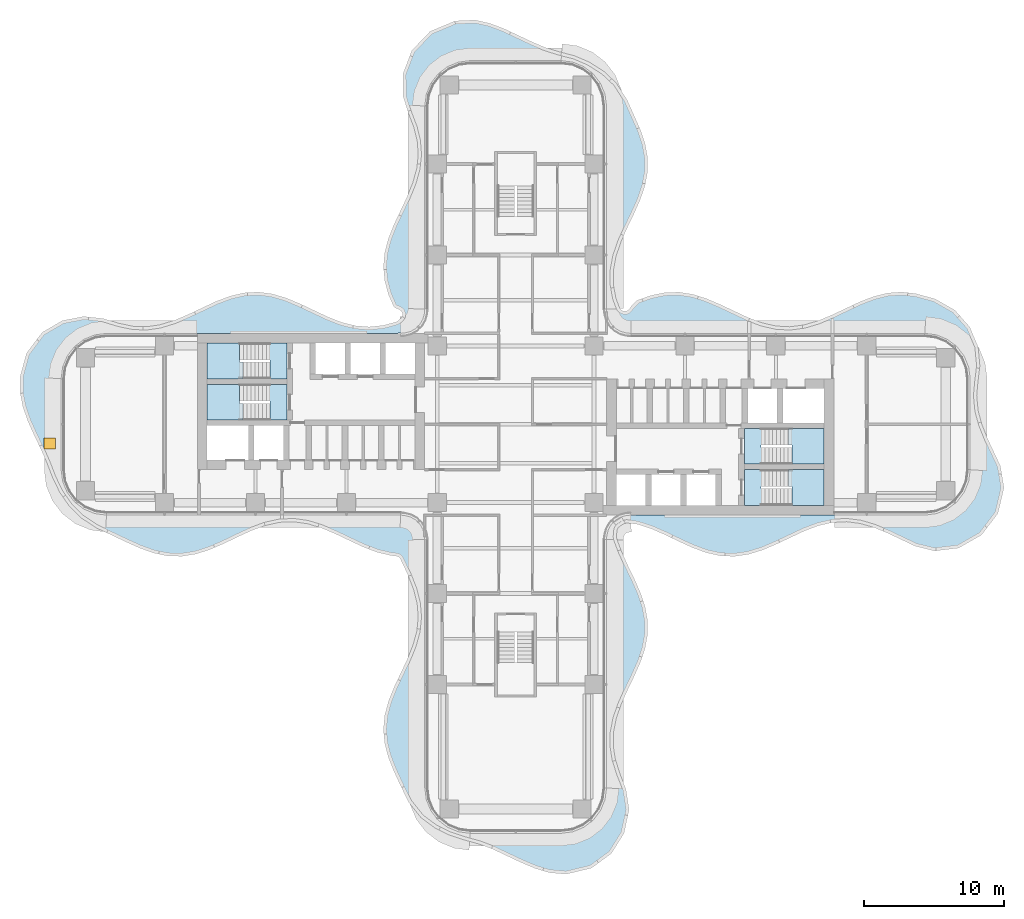
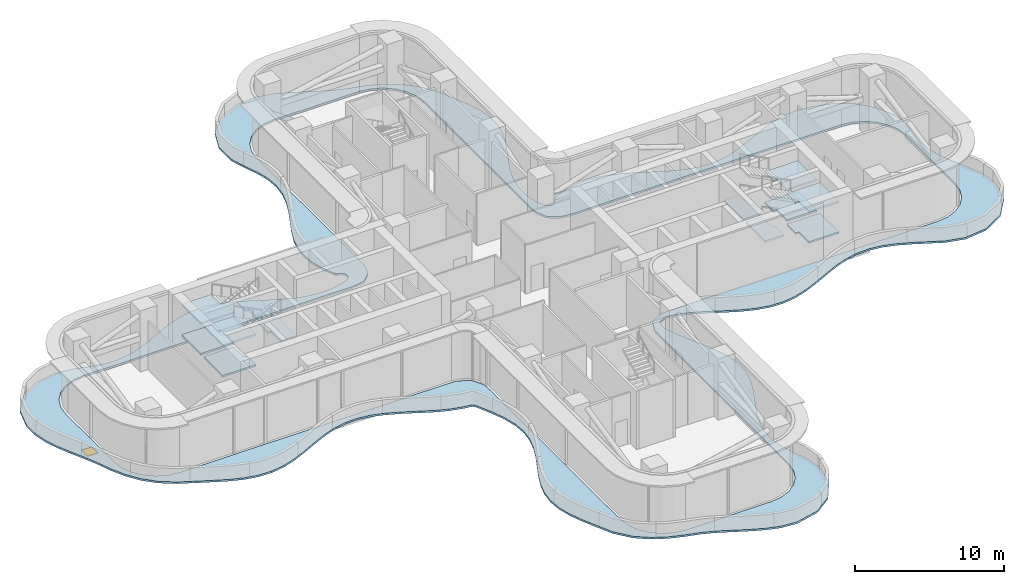
# One storey, part 11 of 20: 13 slabs, 1 door, 1 opening, 4 elements without a shape of their own.
"""IFC4 building model written with IfcOpenShell, lengths in metres."""

from ifc_helpers import new_model, si_unit, direction, frame, origin, origin_2d, place, context, subcontext, project, spatial, polyline, rectangle, outline, extrude, source, transform, mapped, material, layer, layer_set, type_object, element, fill, aggregate, save


model = new_model("IFC4")

# Units and contexts
model_context = context("Model", 3, precision=1e-05, world=origin(), true_north=direction((0.0, 1.0)))
body_context = subcontext(model_context, "Body", "Model", "MODEL_VIEW")
ifc_project = project(units=[si_unit("LENGTHUNIT", "METRE"), si_unit("AREAUNIT", "SQUARE_METRE"), si_unit("VOLUMEUNIT", "CUBIC_METRE"), si_unit("PLANEANGLEUNIT", "RADIAN"), si_unit("MASSUNIT", "GRAM", prefix="KILO")], contexts=[model_context])

# Site, building, storey
site_placement = place(None, origin())
site = spatial("IfcSite", under=ifc_project, at=site_placement, CompositionType="ELEMENT")
building_placement = place(site_placement, origin())
building = spatial("IfcBuilding", under=site, at=building_placement, Name="Trellis Farm Tower", CompositionType="ELEMENT")
storey_placement = place(building_placement, frame((0.0, 0.0, 92.5)))
storey = spatial("IfcBuildingStorey", under=building, at=storey_placement, Name="L19", CompositionType="ELEMENT", Elevation=92.5)

# Slab, opening, door
ifc_material_1 = material(Name="Concrete C40/50", Category="concrete")
ifc_layer_1 = layer(ifc_material_1, 0.14990234375)
ifc_layer_set_1 = layer_set([ifc_layer_1], Name="Roof slab on composite deck 150")
slab_type_1 = type_object("IfcSlabType", Name="Roof slab on composite deck 150", PredefinedType="ROOF", material=ifc_layer_set_1)
slab_1_placement = place(storey_placement, frame((0.0, 0.0, -0.14990234375)))
slab_1 = element("IfcSlab", 1, at=slab_1_placement, inside=storey, type_object=slab_type_1, Name="Roof slab", PredefinedType="ROOF", context=body_context, shape_type="SweptSolid", body=[
    extrude(outline(polyline([(-31.1103515625, -6.651611328125), (-31.92041015625, -5.828369140625), (-31.936767578125, -5.808349609375), (-32.572509765625, -4.88720703125), (-32.583740234375, -4.867919921875), (-33.085205078125, -3.843994140625), (-33.090576171875, -3.83154296875), (-33.506103515625, -2.74462890625), (-33.507568359375, -2.740966796875), (-33.94384765625, -1.760498046875), (-33.94482421875, -1.75830078125), (-34.426025390625, -0.761474609375), (-34.427734375, -0.7578125), (-34.86962890625, 0.226806640625), (-34.87451171875, 0.239013671875), (-35.2216796875, 1.23876953125), (-35.227294921875, 1.259521484375), (-35.416015625, 2.236572265625), (-35.418701171875, 2.263671875), (-35.427490234375, 3.365234375), (-35.42236328125, 3.406005859375), (-34.978759765625, 5.031005859375), (-34.968505859375, 5.057861328125), (-34.95263671875, 5.09033203125), (-34.937744140625, 5.114501953125), (-33.87451171875, 6.523193359375), (-33.8544921875, 6.544677734375), (-33.82666015625, 6.569580078125), (-33.80224609375, 6.58740234375), (-32.422607421875, 7.390625), (-32.37548828125, 7.408203125), (-30.90576171875, 7.691650390625), (-30.86181640625, 7.693603515625), (-29.50390625, 7.55126953125), (-29.4755859375, 7.54541015625), (-28.365478515625, 7.20556640625), (-28.35888671875, 7.203857421875), (-27.356201171875, 6.994384765625), (-27.343017578125, 6.992919921875), (-26.358154296875, 6.964111328125), (-26.344970703125, 6.96484375), (-25.418701171875, 7.103515625), (-25.40771484375, 7.10595703125), (-24.376708984375, 7.425048828125), (-24.369384765625, 7.427734375), (-23.38671875, 7.8486328125), (-23.38427734375, 7.849853515625), (-21.397705078125, 8.785400390625), (-21.38623046875, 8.790283203125), (-20.3994140625, 9.15869140625), (-20.38037109375, 9.16455078125), (-19.401611328125, 9.38916015625), (-19.3759765625, 9.392578125), (-18.40478515625, 9.443115234375), (-18.37744140625, 9.442138671875), (-17.408447265625, 9.313720703125), (-17.385498046875, 9.308837890625), (-16.4296875, 9.025634765625), (-16.41455078125, 9.020263671875), (-15.415283203125, 8.602783203125), (-15.408935546875, 8.60009765625), (-13.4130859375, 7.6572265625), (-13.408203125, 7.6552734375), (-12.449462890625, 7.283935546875), (-12.44091796875, 7.281005859375), (-11.462890625, 7.0341796875), (-11.450439453125, 7.0322265625), (-10.47021484375, 6.953857421875), (-10.456298828125, 6.9541015625), (-9.46875, 7.0576171875), (-9.45654296875, 7.06005859375), (-8.539306640625, 7.314208984375), (-8.522216796875, 7.321533203125), (-8.389892578125, 7.397705078125), (-8.375244140625, 7.40869140625), (-8.186279296875, 7.591796875), (-8.17529296875, 7.605224609375), (-8.102294921875, 7.72021484375), (-8.091064453125, 7.752685546875), (-8.078857421875, 7.877197265625), (-8.085205078125, 7.915283203125), (-8.16015625, 8.07763671875), (-8.182373046875, 8.105712890625), (-8.330810546875, 8.218505859375), (-8.349853515625, 8.22900390625), (-8.626220703125, 8.331787109375), (-8.71142578125, 8.41259765625), (-9.088623046875, 9.27734375), (-9.09619140625, 9.298583984375), (-9.348876953125, 10.24658203125), (-9.35302734375, 10.270751953125), (-9.447021484375, 11.239501953125), (-9.447265625, 11.26708984375), (-9.361328125, 12.239501953125), (-9.357177734375, 12.26416015625), (-9.10107421875, 13.24462890625), (-9.095458984375, 13.261962890625), (-8.7041015625, 14.2509765625), (-8.7001953125, 14.260009765625), (-7.7607421875, 16.244140625), (-7.75927734375, 16.247802734375), (-7.343505859375, 17.266845703125), (-7.3408203125, 17.27490234375), (-7.0634765625, 18.27099609375), (-7.061279296875, 18.283203125), (-6.954345703125, 19.271484375), (-6.9541015625, 19.28515625), (-7.029296875, 20.265625), (-7.03125, 20.27783203125), (-7.26220703125, 21.214111328125), (-7.264892578125, 21.222900390625), (-7.652587890625, 22.23779296875), (-7.655517578125, 22.245361328125), (-8.025634765625, 23.39404296875), (-8.032958984375, 23.438232421875), (-8.052001953125, 25.000732421875), (-8.0498046875, 25.029296875), (-8.04345703125, 25.064208984375), (-8.035888671875, 25.0908203125), (-7.43603515625, 26.672607421875), (-7.4228515625, 26.69921875), (-7.402099609375, 26.732177734375), (-7.383544921875, 26.755615234375), (-6.153564453125, 28.04248046875), (-6.130126953125, 28.0625), (-6.097412109375, 28.0849609375), (-6.0703125, 28.099853515625), (-4.376220703125, 28.8095703125), (-4.351318359375, 28.8173828125), (-4.31787109375, 28.824951171875), (-4.291748046875, 28.82861328125), (-2.915283203125, 28.891845703125), (-2.87548828125, 28.88818359375), (-1.87353515625, 28.66357421875), (-1.85400390625, 28.65771484375), (-0.877197265625, 28.29296875), (-0.865478515625, 28.2880859375), (1.10888671875, 27.35791015625), (1.111328125, 27.35693359375), (2.093017578125, 26.934814453125), (2.1005859375, 26.93212890625), (3.123291015625, 26.614990234375), (3.126708984375, 26.614013671875), (4.197265625, 26.335693359375), (4.218505859375, 26.32861328125), (5.25146484375, 25.886474609375), (5.272705078125, 25.875244140625), (6.29248046875, 25.228515625), (6.314697265625, 25.211181640625), (7.189697265625, 24.38818359375), (7.21337890625, 24.359619140625), (7.959228515625, 23.192138671875), (7.969970703125, 23.172119140625), (8.92626953125, 21.0146484375), (8.931640625, 21.0009765625), (9.25341796875, 20.026123046875), (9.2587890625, 20.004638671875), (9.427001953125, 19.035400390625), (9.42919921875, 19.00830078125), (9.420654296875, 18.038330078125), (9.418212890625, 18.01171875), (9.232177734375, 17.034912109375), (9.2265625, 17.01416015625), (8.887451171875, 16.028564453125), (8.882568359375, 16.01611328125), (8.4384765625, 15.0224609375), (8.4365234375, 15.018310546875), (7.953369140625, 14.01708984375), (7.952392578125, 14.01513671875), (7.517822265625, 13.041259765625), (7.515380859375, 13.034912109375), (7.164306640625, 12.007568359375), (7.16162109375, 11.996826171875), (6.978759765625, 11.0048828125), (6.9775390625, 10.99169921875), (6.974853515625, 10.00830078125), (6.97607421875, 9.994873046875), (7.154296875, 9.010986328125), (7.158203125, 8.99755859375), (7.416748046875, 8.322509765625), (7.42431640625, 8.307861328125), (7.49658203125, 8.199951171875), (7.520263671875, 8.17724609375), (7.632080078125, 8.111083984375), (7.647216796875, 8.104248046875), (7.712890625, 8.0830078125), (7.73681640625, 8.07958984375), (7.923583984375, 8.081787109375), (7.96728515625, 8.097412109375), (8.114990234375, 8.212646484375), (8.130859375, 8.2294921875), (8.24658203125, 8.400390625), (8.26318359375, 8.420654296875), (8.636474609375, 8.804931640625), (8.662841796875, 8.82666015625), (8.69970703125, 8.850341796875), (8.730224609375, 8.865478515625), (9.65234375, 9.195068359375), (9.672119140625, 9.20068359375), (10.64208984375, 9.404296875), (10.668701171875, 9.40771484375), (11.66943359375, 9.435791015625), (11.697021484375, 9.43408203125), (12.666015625, 9.281005859375), (12.68798828125, 9.27587890625), (13.64599609375, 8.97216796875), (13.659912109375, 8.966796875), (14.659423828125, 8.536865234375), (14.6640625, 8.534912109375), (16.6376953125, 7.605712890625), (16.6435546875, 7.603515625), (17.623291015625, 7.239013671875), (17.6328125, 7.236328125), (18.610595703125, 7.011962890625), (18.623291015625, 7.010009765625), (19.6044921875, 6.95751953125), (19.618408203125, 6.9580078125), (20.607666015625, 7.08740234375), (20.619140625, 7.08984375), (21.6162109375, 7.385986328125), (21.623779296875, 7.388671875), (22.640869140625, 7.81591796875), (22.643798828125, 7.817138671875), (24.629638671875, 8.7548828125), (24.639892578125, 8.75927734375), (25.60693359375, 9.1298828125), (25.624755859375, 9.135498046875), (26.59619140625, 9.373779296875), (26.621337890625, 9.377685546875), (27.590087890625, 9.4462890625), (27.61767578125, 9.445556640625), (28.593505859375, 9.333984375), (28.615478515625, 9.329833984375), (29.944091796875, 8.97119140625), (29.9794921875, 8.956787109375), (31.380126953125, 8.15673828125), (31.418212890625, 8.125732421875), (32.439208984375, 6.968505859375), (32.46484375, 6.927734375), (33.043701171875, 5.56494140625), (33.054931640625, 5.5205078125), (33.180419921875, 4.185791015625), (33.179931640625, 4.1533203125), (33.038818359375, 3.00390625), (33.03857421875, 3.001220703125), (32.95361328125, 2.033203125), (32.95361328125, 2.01953125), (33.0546875, 0.975341796875), (33.056884765625, 0.962890625), (33.32275390625, -0.014892578125), (33.325439453125, -0.023193359375), (33.7109375, -0.985107421875), (33.712646484375, -0.9892578125), (34.6416015625, -2.970458984375), (34.653564453125, -3.009033203125), (34.902587890625, -4.476318359375), (34.904541015625, -4.50634765625), (34.9033203125, -4.544189453125), (34.8994140625, -4.573486328125), (34.490234375, -6.316650390625), (34.47998046875, -6.34619140625), (34.462646484375, -6.3828125), (34.446533203125, -6.409423828125), (33.33837890625, -7.87060546875), (33.31787109375, -7.892822265625), (33.288330078125, -7.918701171875), (33.263671875, -7.93603515625), (31.707275390625, -8.8212890625), (31.679931640625, -8.833251953125), (31.643310546875, -8.845458984375), (31.6142578125, -8.851806640625), (29.996826171875, -9.044677734375), (29.970458984375, -9.04541015625), (29.936279296875, -9.04345703125), (29.909912109375, -9.03955078125), (28.615966796875, -8.727783203125), (28.5869140625, -8.717529296875), (26.6328125, -7.79296875), (26.62939453125, -7.79150390625), (25.611328125, -7.368896484375), (25.603759765625, -7.3662109375), (24.661376953125, -7.089599609375), (24.64990234375, -7.087158203125), (23.6708984375, -6.958251953125), (23.6572265625, -6.957763671875), (22.671875, -7.00927734375), (22.65869140625, -7.01123046875), (21.621337890625, -7.252685546875), (21.61181640625, -7.255615234375), (20.632080078125, -7.626220703125), (20.62646484375, -7.62841796875), (18.65283203125, -8.559326171875), (18.647705078125, -8.561767578125), (17.648193359375, -8.987060546875), (17.633544921875, -8.992431640625), (16.650390625, -9.29443359375), (16.627685546875, -9.299560546875), (15.6533203125, -9.439208984375), (15.625732421875, -9.440673828125), (14.656494140625, -9.40087890625), (14.630615234375, -9.3974609375), (13.66015625, -9.18505859375), (13.640869140625, -9.17919921875), (12.663818359375, -8.822998046875), (12.65283203125, -8.818359375), (11.67041015625, -8.369384765625), (11.667724609375, -8.3681640625), (10.66552734375, -7.885498046875), (10.662841796875, -7.884521484375), (9.692138671875, -7.461669921875), (9.685546875, -7.458984375), (8.716796875, -7.14306640625), (8.70263671875, -7.139892578125), (7.966552734375, -7.04931640625), (7.939697265625, -7.051025390625), (7.730712890625, -7.102294921875), (7.706787109375, -7.11279296875), (7.39404296875, -7.323486328125), (7.38134765625, -7.33447265625), (7.29248046875, -7.42919921875), (7.27587890625, -7.45751953125), (7.23681640625, -7.581298828125), (7.2333984375, -7.59765625), (7.197021484375, -8.035888671875), (7.197265625, -8.052490234375), (7.216064453125, -8.18798828125), (7.22021484375, -8.203857421875), (7.53564453125, -9.043701171875), (7.537353515625, -9.04833984375), (7.982177734375, -10.0361328125), (7.98291015625, -10.0380859375), (8.4619140625, -11.0302734375), (8.464111328125, -11.03466796875), (8.904052734375, -12.028076171875), (8.9091796875, -12.041015625), (9.2412109375, -13.02587890625), (9.24658203125, -13.047119140625), (9.42333984375, -14.0234375), (9.42578125, -14.05029296875), (9.424560546875, -15.02001953125), (9.422119140625, -15.046875), (9.2451171875, -16.0166015625), (9.239501953125, -16.03759765625), (8.910400390625, -17.012939453125), (8.905517578125, -17.025634765625), (8.472412109375, -18.00439453125), (8.470458984375, -18.0087890625), (7.98779296875, -19.009521484375), (7.98681640625, -19.01123046875), (7.53564453125, -20.01416015625), (7.533203125, -20.020263671875), (7.18408203125, -21.019287109375), (7.181396484375, -21.029541015625), (6.986083984375, -22.02197265625), (6.984619140625, -22.03515625), (6.968994140625, -23.019287109375), (6.969970703125, -23.032470703125), (7.120361328125, -23.9599609375), (7.122802734375, -23.970703125), (7.442138671875, -24.97509765625), (7.44384765625, -24.979736328125), (7.87353515625, -26.075439453125), (7.882080078125, -26.107421875), (8.095947265625, -27.506103515625), (8.09765625, -27.533203125), (8.096435546875, -27.568603515625), (8.09326171875, -27.595458984375), (7.74951171875, -29.202880859375), (7.741943359375, -29.227783203125), (7.729248046875, -29.259521484375), (7.71728515625, -29.28271484375), (6.863525390625, -30.647705078125), (6.84619140625, -30.67041015625), (6.821044921875, -30.697265625), (6.7998046875, -30.71630859375), (5.452392578125, -31.70263671875), (5.42724609375, -31.7177734375), (5.39306640625, -31.733642578125), (5.364501953125, -31.743408203125), (3.633056640625, -32.156494140625), (3.584716796875, -32.159912109375), (2.406005859375, -32.052978515625), (2.376220703125, -32.04736328125), (1.39208984375, -31.749267578125), (1.377197265625, -31.743896484375), (0.377685546875, -31.320068359375), (0.372314453125, -31.317626953125), (-1.62451171875, -30.376220703125), (-1.6298828125, -30.373779296875), (-2.59326171875, -30.0087890625), (-2.60009765625, -30.006591796875), (-3.674072265625, -29.71240234375), (-3.681640625, -29.710205078125), (-4.734619140625, -29.361083984375), (-4.75390625, -29.35302734375), (-5.7685546875, -28.8515625), (-5.791259765625, -28.837646484375), (-6.74609375, -28.1318359375), (-6.774169921875, -28.104736328125), (-7.651611328125, -27.005859375), (-7.66943359375, -26.9775390625), (-8.2548828125, -25.76611328125), (-8.256103515625, -25.763671875), (-8.719970703125, -24.757568359375), (-8.723388671875, -24.74951171875), (-9.106689453125, -23.770263671875), (-9.1123046875, -23.7529296875), (-9.361572265625, -22.78125), (-9.36572265625, -22.756591796875), (-9.447265625, -21.78759765625), (-9.447021484375, -21.760009765625), (-9.348388671875, -20.787353515625), (-9.34375, -20.762939453125), (-9.07666015625, -19.781982421875), (-9.071044921875, -19.76513671875), (-8.671875, -18.775390625), (-8.66845703125, -18.767333984375), (-7.72900390625, -16.783935546875), (-7.727294921875, -16.77978515625), (-7.33154296875, -15.798583984375), (-7.328857421875, -15.790283203125), (-7.060302734375, -14.812255859375), (-7.05810546875, -14.80029296875), (-6.9541015625, -13.820556640625), (-6.9541015625, -13.806884765625), (-7.03173828125, -12.820068359375), (-7.03369140625, -12.8076171875), (-7.285400390625, -11.8125), (-7.288330078125, -11.8037109375), (-7.687744140625, -10.7822265625), (-7.689697265625, -10.777587890625), (-8.23095703125, -9.62841796875), (-8.24169921875, -9.612060546875), (-8.337646484375, -9.49853515625), (-8.368408203125, -9.47705078125), (-8.50830078125, -9.42529296875), (-8.526611328125, -9.4208984375), (-8.91748046875, -9.38134765625), (-8.937744140625, -9.377685546875), (-9.914306640625, -9.14111328125), (-9.932373046875, -9.135498046875), (-10.910400390625, -8.76220703125), (-10.9208984375, -8.7578125), (-12.895263671875, -7.825439453125), (-12.898193359375, -7.82421875), (-13.915283203125, -7.395263671875), (-13.922607421875, -7.392578125), (-14.866455078125, -7.10546875), (-14.877685546875, -7.10302734375), (-15.8564453125, -6.961669921875), (-15.8701171875, -6.9609375), (-16.85498046875, -6.99951171875), (-16.8681640625, -7.001220703125), (-17.90625, -7.230712890625), (-17.916015625, -7.233642578125), (-18.89599609375, -7.595947265625), (-18.9013671875, -7.59814453125), (-19.8857421875, -8.050048828125), (-19.886962890625, -8.05078125), (-20.87451171875, -8.526123046875), (-20.880126953125, -8.52880859375), (-21.87890625, -8.960205078125), (-21.892822265625, -8.96533203125), (-22.851318359375, -9.271484375), (-22.873046875, -9.276611328125), (-23.842041015625, -9.4326171875), (-23.86962890625, -9.4345703125), (-24.870361328125, -9.40966796875), (-24.897216796875, -9.406494140625), (-25.866943359375, -9.205810546875), (-25.886962890625, -9.2001953125), (-26.863525390625, -8.8525390625), (-26.875, -8.847900390625), (-27.860595703125, -8.402099609375), (-27.86279296875, -8.40087890625), (-30.001220703125, -7.388427734375), (-30.019775390625, -7.3779296875), (-31.086181640625, -6.67138671875), (-31.1103515625, -6.651611328125)]), holes=[polyline([(-6.7958984375, 7.276123046875), (-7.408935546875, 6.71240234375), (-7.444580078125, 6.68798828125), (-7.4931640625, 6.664306640625), (-7.5341796875, 6.651123046875), (-8.409912109375, 6.50439453125), (-8.434814453125, 6.50244140625), (-23.109619140625, 6.50048828125), (-29.25, 6.50048828125), (-30.09130859375, 6.389892578125), (-30.875244140625, 6.065185546875), (-31.548583984375, 5.548583984375), (-32.065185546875, 4.875244140625), (-32.389892578125, 4.09130859375), (-32.50048828125, 3.25), (-32.50048828125, -3.25), (-32.389892578125, -4.09130859375), (-32.065185546875, -4.875244140625), (-31.548583984375, -5.548583984375), (-30.875244140625, -6.065185546875), (-30.09130859375, -6.389892578125), (-29.25, -6.50048828125), (-8.893798828125, -6.50048828125), (-7.973388671875, -6.525390625), (-7.94189453125, -6.52978515625), (-7.90234375, -6.539306640625), (-7.872314453125, -6.550048828125), (-7.106689453125, -6.919921875), (-7.0693359375, -6.94580078125), (-7.0283203125, -6.984130859375), (-7.00048828125, -7.019775390625), (-6.58544921875, -7.75439453125), (-6.572265625, -7.785888671875), (-6.559814453125, -7.827880859375), (-6.55419921875, -7.861572265625), (-6.50048828125, -8.785888671875), (-6.50048828125, -26.0), (-6.389892578125, -26.84130859375), (-6.065185546875, -27.625244140625), (-5.548583984375, -28.298583984375), (-4.875244140625, -28.815185546875), (-4.09130859375, -29.139892578125), (-3.25, -29.25048828125), (3.25, -29.25048828125), (4.09130859375, -29.139892578125), (4.875244140625, -28.815185546875), (5.548583984375, -28.298583984375), (6.065185546875, -27.625244140625), (6.389892578125, -26.84130859375), (6.50048828125, -26.0), (6.50048828125, -8.989501953125), (6.511962890625, -8.083984375), (6.514892578125, -8.057373046875), (6.521484375, -8.023193359375), (6.52880859375, -7.997314453125), (6.840087890625, -7.19580078125), (6.863525390625, -7.155517578125), (6.899658203125, -7.111083984375), (6.934326171875, -7.079833984375), (7.63720703125, -6.621826171875), (7.670166015625, -6.605712890625), (7.714111328125, -6.590576171875), (7.749755859375, -6.5830078125), (8.677490234375, -6.50048828125), (29.25, -6.50048828125), (30.09130859375, -6.389892578125), (30.875244140625, -6.065185546875), (31.548583984375, -5.548583984375), (32.065185546875, -4.875244140625), (32.389892578125, -4.09130859375), (32.50048828125, -3.25), (32.50048828125, 3.25), (32.389892578125, 4.09130859375), (32.065185546875, 4.875244140625), (31.548583984375, 5.548583984375), (30.875244140625, 6.065185546875), (30.09130859375, 6.389892578125), (29.25, 6.50048828125), (8.677490234375, 6.50048828125), (7.749755859375, 6.5830078125), (7.714111328125, 6.590576171875), (7.670166015625, 6.605712890625), (7.63720703125, 6.621826171875), (6.934326171875, 7.079833984375), (6.899658203125, 7.111083984375), (6.863525390625, 7.155517578125), (6.840087890625, 7.19580078125), (6.52880859375, 7.997314453125), (6.521484375, 8.023193359375), (6.514892578125, 8.057373046875), (6.511962890625, 8.083984375), (6.50048828125, 8.989501953125), (6.50048828125, 22.75), (6.389892578125, 23.59130859375), (6.065185546875, 24.375244140625), (5.548583984375, 25.048583984375), (4.875244140625, 25.565185546875), (4.09130859375, 25.889892578125), (3.25, 26.00048828125), (-3.25, 26.00048828125), (-4.09130859375, 25.889892578125), (-4.875244140625, 25.565185546875), (-5.548583984375, 25.048583984375), (-6.065185546875, 24.375244140625), (-6.389892578125, 23.59130859375), (-6.50048828125, 22.75), (-6.50048828125, 8.313720703125), (-6.50439453125, 8.282470703125), (-6.724365234375, 7.396484375), (-6.7412109375, 7.355712890625), (-6.768798828125, 7.309814453125), (-6.7958984375, 7.276123046875)])]), origin(), (0.0, 0.0, 1.0), 0.14990234375),
])
opening_placement = place(slab_1_placement, frame((-33.31494140625, -1.3740234375, 0.0)))
opening = element("IfcOpeningElement", 2, at=opening_placement, cuts=slab_1, Name="Opening RH1", PredefinedType="OPENING", context=body_context, shape_type="SweptSolid", body=[
    extrude(rectangle(XDim=0.800048828125, YDim=0.800048828125, at=origin_2d()), frame((0.0, 0.0, -0.010009765625)), (0.0, 0.0, 1.0), 0.169921875),
])
ifc_material_2 = material(Name="Insulated steel hatch", Category="steel")
door_type = type_object("IfcDoorType", Name="ROOF ACCESS HATCH 800", OperationType="SINGLE_SWING_LEFT", PredefinedType="TRAPDOOR", material=ifc_material_2)
door_placement = place(opening_placement, frame((0.0, 0.0, 0.099853515625)))
door = element("IfcDoor", 3, at=door_placement, inside=storey, type_object=door_type, Name="Roof hatch", OperationType="SINGLE_SWING_LEFT", OverallHeight=0.800048828125, OverallWidth=0.800048828125, PredefinedType="TRAPDOOR", context=body_context, shape_type="SweptSolid", body=[
    extrude(rectangle(XDim=0.800048828125, YDim=0.800048828125, at=origin_2d()), origin(), (0.0, 0.0, 1.0), 0.050048828125),
])
fill(opening, door)

# Stair, slabs
ifc_material_3 = material(Name="Concrete C50/60", Category="concrete")
stair_type = type_object("IfcStairType", Name="CORE EXIT STAIR 36 RISERS 139 MM", PredefinedType="HALF_TURN_STAIR", material=ifc_material_3)
placement_1 = place(storey_placement, origin())
stair_1 = element("IfcStair", 4, at=placement_1, inside=storey, type_object=stair_type, Name="Exit stair E1", PredefinedType="HALF_TURN_STAIR")
ifc_layer_2 = layer(ifc_material_3, 0.14990234375)
ifc_layer_set_2 = layer_set([ifc_layer_2], Name="CORE STAIR LANDING 150 CONCRETE C50/60")
slab_type_2 = type_object("IfcSlabType", Name="CORE STAIR LANDING 150 CONCRETE C50/60", PredefinedType="LANDING", material=ifc_layer_set_2)
shared_shape_1 = source(origin(), body_context, "Body", "SweptSolid", [
    extrude(outline(polyline([(19.739990234375, -5.800048828125), (19.739990234375, -4.60009765625), (19.75, -4.60009765625), (19.75, -4.449951171875), (19.49072265625, -4.449951171875), (19.49072265625, -3.25), (19.75, -3.25), (22.050048828125, -3.25), (22.050048828125, -5.800048828125), (19.75, -5.800048828125), (19.739990234375, -5.800048828125)])), origin(), (0.0, 0.0, 1.0), 0.14990234375),
])
placement_2 = place(storey_placement, frame((0.0, 0.0, 1.10009765625)))
slab_2 = element("IfcSlab", 5, at=placement_2, type_object=slab_type_2, Name="STE1 landing 1", PredefinedType="LANDING", context=body_context, shape_type="MappedRepresentation", body=[
    mapped(shared_shape_1, transform((0.0, 0.0, 0.0))),
])
placement_3 = place(storey_placement, frame((0.0, 0.0, 3.60009765625)))
slab_3 = element("IfcSlab", 6, at=placement_3, type_object=slab_type_2, Name="STE1 landing 3", PredefinedType="LANDING", context=body_context, shape_type="MappedRepresentation", body=[
    mapped(shared_shape_1, transform((0.0, 0.0, 0.0))),
])
shared_shape_2 = source(origin(), body_context, "Body", "SweptSolid", [
    extrude(outline(polyline([(17.809326171875, -4.60009765625), (17.809326171875, -5.800048828125), (17.550048828125, -5.800048828125), (16.35009765625, -5.800048828125), (16.35009765625, -3.25), (17.550048828125, -3.25), (17.56005859375, -3.25), (17.56005859375, -4.449951171875), (17.550048828125, -4.449951171875), (17.550048828125, -4.60009765625), (17.809326171875, -4.60009765625)])), origin(), (0.0, 0.0, 1.0), 0.14990234375),
])
placement_4 = place(storey_placement, frame((0.0, 0.0, 2.35009765625)))
slab_4 = element("IfcSlab", 7, at=placement_4, type_object=slab_type_2, Name="STE1 landing 2", PredefinedType="LANDING", context=body_context, shape_type="MappedRepresentation", body=[
    mapped(shared_shape_2, transform((0.0, 0.0, 0.0))),
])
aggregate(stair_1, [slab_2, slab_4, slab_3])

stair_2 = element("IfcStair", 8, at=placement_1, inside=storey, type_object=stair_type, Name="Exit stair E2", PredefinedType="HALF_TURN_STAIR")
shared_shape_3 = source(origin(), body_context, "Body", "SweptSolid", [
    extrude(outline(polyline([(19.739990234375, -2.85009765625), (19.739990234375, -1.64990234375), (19.75, -1.64990234375), (19.75, -1.5), (19.49072265625, -1.5), (19.49072265625, -0.300048828125), (19.75, -0.300048828125), (22.050048828125, -0.300048828125), (22.050048828125, -2.85009765625), (19.75, -2.85009765625), (19.739990234375, -2.85009765625)])), origin(), (0.0, 0.0, 1.0), 0.14990234375),
])
slab_5 = element("IfcSlab", 9, at=placement_2, type_object=slab_type_2, Name="STE2 landing 1", PredefinedType="LANDING", context=body_context, shape_type="MappedRepresentation", body=[
    mapped(shared_shape_3, transform((0.0, 0.0, 0.0))),
])
slab_6 = element("IfcSlab", 10, at=placement_3, type_object=slab_type_2, Name="STE2 landing 3", PredefinedType="LANDING", context=body_context, shape_type="MappedRepresentation", body=[
    mapped(shared_shape_3, transform((0.0, 0.0, 0.0))),
])
shared_shape_4 = source(origin(), body_context, "Body", "SweptSolid", [
    extrude(outline(polyline([(17.809326171875, -1.64990234375), (17.809326171875, -2.85009765625), (17.550048828125, -2.85009765625), (16.35009765625, -2.85009765625), (16.35009765625, -0.300048828125), (17.550048828125, -0.300048828125), (17.56005859375, -0.300048828125), (17.56005859375, -1.5), (17.550048828125, -1.5), (17.550048828125, -1.64990234375), (17.809326171875, -1.64990234375)])), origin(), (0.0, 0.0, 1.0), 0.14990234375),
])
slab_7 = element("IfcSlab", 11, at=placement_4, type_object=slab_type_2, Name="STE2 landing 2", PredefinedType="LANDING", context=body_context, shape_type="MappedRepresentation", body=[
    mapped(shared_shape_4, transform((0.0, 0.0, 0.0))),
])
aggregate(stair_2, [slab_5, slab_7, slab_6])

stair_3 = element("IfcStair", 12, at=placement_1, inside=storey, type_object=stair_type, Name="Exit stair W1", PredefinedType="HALF_TURN_STAIR")
shared_shape_5 = source(origin(), body_context, "Body", "SweptSolid", [
    extrude(outline(polyline([(-19.49072265625, 4.449951171875), (-19.49072265625, 3.25), (-19.75, 3.25), (-22.050048828125, 3.25), (-22.050048828125, 5.800048828125), (-19.75, 5.800048828125), (-19.739990234375, 5.800048828125), (-19.739990234375, 4.60009765625), (-19.75, 4.60009765625), (-19.75, 4.449951171875), (-19.49072265625, 4.449951171875)])), origin(), (0.0, 0.0, 1.0), 0.14990234375),
])
slab_8 = element("IfcSlab", 13, at=placement_2, type_object=slab_type_2, Name="STW1 landing 1", PredefinedType="LANDING", context=body_context, shape_type="MappedRepresentation", body=[
    mapped(shared_shape_5, transform((0.0, 0.0, 0.0))),
])
slab_9 = element("IfcSlab", 14, at=placement_3, type_object=slab_type_2, Name="STW1 landing 3", PredefinedType="LANDING", context=body_context, shape_type="MappedRepresentation", body=[
    mapped(shared_shape_5, transform((0.0, 0.0, 0.0))),
])
shared_shape_6 = source(origin(), body_context, "Body", "SweptSolid", [
    extrude(outline(polyline([(-17.56005859375, 3.25), (-17.56005859375, 4.449951171875), (-17.550048828125, 4.449951171875), (-17.550048828125, 4.60009765625), (-17.809326171875, 4.60009765625), (-17.809326171875, 5.800048828125), (-17.550048828125, 5.800048828125), (-16.35009765625, 5.800048828125), (-16.35009765625, 3.25), (-17.550048828125, 3.25), (-17.56005859375, 3.25)])), origin(), (0.0, 0.0, 1.0), 0.14990234375),
])
slab_10 = element("IfcSlab", 15, at=placement_4, type_object=slab_type_2, Name="STW1 landing 2", PredefinedType="LANDING", context=body_context, shape_type="MappedRepresentation", body=[
    mapped(shared_shape_6, transform((0.0, 0.0, 0.0))),
])
aggregate(stair_3, [slab_8, slab_10, slab_9])

stair_4 = element("IfcStair", 16, at=placement_1, inside=storey, type_object=stair_type, Name="Exit stair W2", PredefinedType="HALF_TURN_STAIR")
shared_shape_7 = source(origin(), body_context, "Body", "SweptSolid", [
    extrude(outline(polyline([(-19.49072265625, 1.5), (-19.49072265625, 0.300048828125), (-19.75, 0.300048828125), (-22.050048828125, 0.300048828125), (-22.050048828125, 2.85009765625), (-19.75, 2.85009765625), (-19.739990234375, 2.85009765625), (-19.739990234375, 1.64990234375), (-19.75, 1.64990234375), (-19.75, 1.5), (-19.49072265625, 1.5)])), origin(), (0.0, 0.0, 1.0), 0.14990234375),
])
slab_11 = element("IfcSlab", 17, at=placement_2, type_object=slab_type_2, Name="STW2 landing 1", PredefinedType="LANDING", context=body_context, shape_type="MappedRepresentation", body=[
    mapped(shared_shape_7, transform((0.0, 0.0, 0.0))),
])
slab_12 = element("IfcSlab", 18, at=placement_3, type_object=slab_type_2, Name="STW2 landing 3", PredefinedType="LANDING", context=body_context, shape_type="MappedRepresentation", body=[
    mapped(shared_shape_7, transform((0.0, 0.0, 0.0))),
])
shared_shape_8 = source(origin(), body_context, "Body", "SweptSolid", [
    extrude(outline(polyline([(-17.56005859375, 0.300048828125), (-17.56005859375, 1.5), (-17.550048828125, 1.5), (-17.550048828125, 1.64990234375), (-17.809326171875, 1.64990234375), (-17.809326171875, 2.85009765625), (-17.550048828125, 2.85009765625), (-16.35009765625, 2.85009765625), (-16.35009765625, 0.300048828125), (-17.550048828125, 0.300048828125), (-17.56005859375, 0.300048828125)])), origin(), (0.0, 0.0, 1.0), 0.14990234375),
])
slab_13 = element("IfcSlab", 19, at=placement_4, type_object=slab_type_2, Name="STW2 landing 2", PredefinedType="LANDING", context=body_context, shape_type="MappedRepresentation", body=[
    mapped(shared_shape_8, transform((0.0, 0.0, 0.0))),
])
aggregate(stair_4, [slab_11, slab_13, slab_12])

save(model, "model.ifc")
